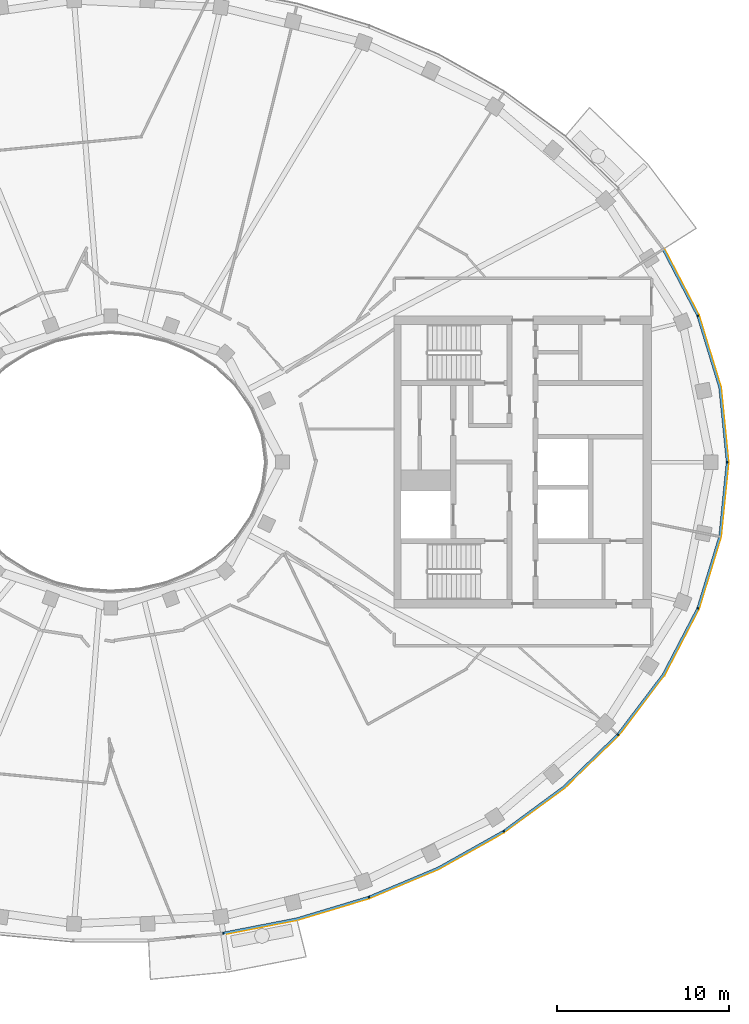
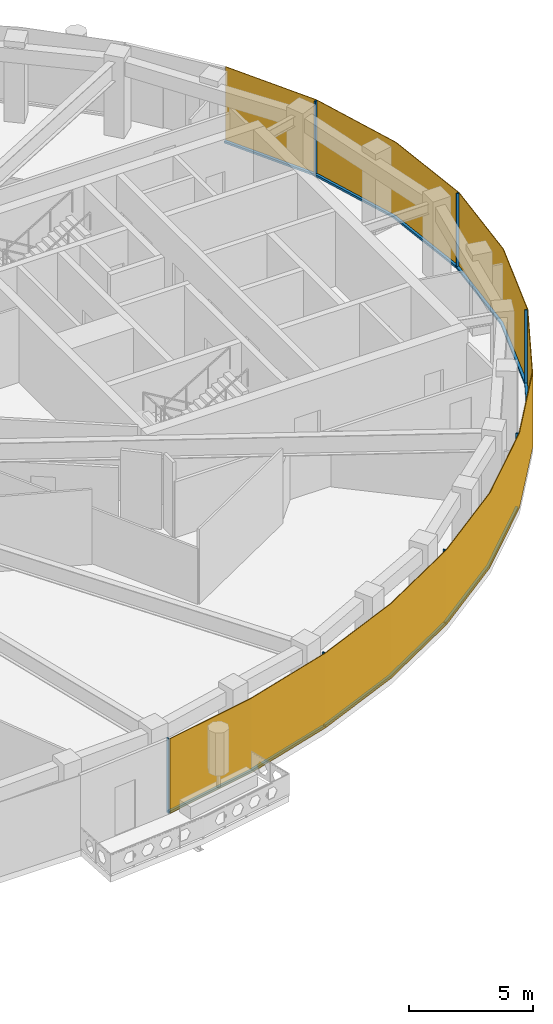
# One storey, part 14 of 20: 14 members, 1 curtain wall.
"""IFC4 building model written with IfcOpenShell, lengths in metres."""

from ifc_helpers import new_model, si_unit, direction, frame, origin, origin_2d, place, context, subcontext, project, spatial, polyline, rectangle, outline, extrude, material, layer, layer_set, material_profile, profile_set, type_object, element, aggregate, save


model = new_model("IFC4")

# Units and contexts
model_context = context("Model", 3, precision=1e-05, world=origin(), true_north=direction((0.0, 1.0)))
body_context = subcontext(model_context, "Body", "Model", "MODEL_VIEW")
ifc_project = project(units=[si_unit("LENGTHUNIT", "METRE"), si_unit("AREAUNIT", "SQUARE_METRE"), si_unit("VOLUMEUNIT", "CUBIC_METRE"), si_unit("PLANEANGLEUNIT", "RADIAN"), si_unit("MASSUNIT", "GRAM", prefix="KILO")], contexts=[model_context])

# Member
ifc_material_1 = material(Name="Aluminium 6063-T6 black anodised", Category="aluminium")
ifc_material_profile = material_profile(ifc_material_1, rectangle(XDim=0.1201171875, YDim=0.06005859375, at=origin_2d()), Name="120x60")
ifc_profile_set = profile_set([ifc_material_profile], Name="Aluminium 6063-T6 black anodised")
member_type_1 = type_object("IfcMemberType", Name="ENV-MULLION-A-120", PredefinedType="MULLION", material=ifc_profile_set)
site_placement = place(None, origin())
building_placement = place(site_placement, origin())
storey_placement = place(building_placement, frame((0.0, 0.0, 323.0)))
member_1_placement = place(storey_placement, frame((6.54638671875, -27.440185546875, 0.0), z_axis=(0.0, 0.0, 1.0), x_axis=(-0.143082012705, 0.989710835366, 0.0)))
member_1 = element("IfcMember", 1, at=member_1_placement, type_object=member_type_1, Name="Mullion A radial 37", PredefinedType="MULLION", context=body_context, shape_type="SweptSolid", body=[
    extrude(rectangle(XDim=0.1201171875, YDim=0.06005859375, at=origin_2d()), origin(), (0.0, 0.0, 1.0), 3.699951171875),
])

member_2_placement = place(storey_placement, frame((15.0341796875, -25.34375, 0.0), z_axis=(0.0, 0.0, 1.0), x_axis=(-0.338379256581, 0.941009818608, 0.0)))
member_2 = element("IfcMember", 2, at=member_2_placement, type_object=member_type_1, Name="Mullion A radial 39", PredefinedType="MULLION", context=body_context, shape_type="SweptSolid", body=[
    extrude(rectangle(XDim=0.1201171875, YDim=0.06005859375, at=origin_2d()), origin(), (0.0, 0.0, 1.0), 3.699951171875),
])

member_3_placement = place(storey_placement, frame((22.882568359375, -21.506591796875, 0.0), z_axis=(0.0, 0.0, 1.0), x_axis=(-0.542279153225, 0.840198381323, 0.0)))
member_3 = element("IfcMember", 3, at=member_3_placement, type_object=member_type_1, Name="Mullion A radial 41", PredefinedType="MULLION", context=body_context, shape_type="SweptSolid", body=[
    extrude(rectangle(XDim=0.1201171875, YDim=0.06005859375, at=origin_2d()), origin(), (0.0, 0.0, 1.0), 3.699951171875),
])

member_4_placement = place(storey_placement, frame((29.53857421875, -15.8671875, 0.0), z_axis=(0.0, 0.0, 1.0), x_axis=(-0.749047221705, 0.662516610853, 0.0)))
member_4 = element("IfcMember", 4, at=member_4_placement, type_object=member_type_1, Name="Mullion A radial 43", PredefinedType="MULLION", context=body_context, shape_type="SweptSolid", body=[
    extrude(rectangle(XDim=0.1201171875, YDim=0.06005859375, at=origin_2d()), origin(), (0.0, 0.0, 1.0), 3.699951171875),
])

member_5_placement = place(storey_placement, frame((34.19580078125, -8.513916015625, 0.0), z_axis=(0.0, 0.0, 1.0), x_axis=(-0.92546738067, 0.378827305398, 0.0)))
member_5 = element("IfcMember", 5, at=member_5_placement, type_object=member_type_1, Name="Mullion A radial 45", PredefinedType="MULLION", context=body_context, shape_type="SweptSolid", body=[
    extrude(rectangle(XDim=0.1201171875, YDim=0.06005859375, at=origin_2d()), origin(), (0.0, 0.0, 1.0), 3.699951171875),
])

member_6_placement = place(storey_placement, frame((35.907958984375, 0.0, 0.0), z_axis=(0.0, 0.0, 1.0), x_axis=(-1.0, 0.0, 0.0)))
member_6 = element("IfcMember", 6, at=member_6_placement, type_object=member_type_1, Name="Mullion A radial 01", PredefinedType="MULLION", context=body_context, shape_type="SweptSolid", body=[
    extrude(rectangle(XDim=0.1201171875, YDim=0.06005859375, at=origin_2d()), origin(), (0.0, 0.0, 1.0), 3.699951171875),
])

member_7_placement = place(storey_placement, frame((34.19580078125, 8.513916015625, 0.0), z_axis=(0.0, 0.0, 1.0), x_axis=(-0.92546738067, -0.378827305398, 0.0)))
member_7 = element("IfcMember", 7, at=member_7_placement, type_object=member_type_1, Name="Mullion A radial 03", PredefinedType="MULLION", context=body_context, shape_type="SweptSolid", body=[
    extrude(rectangle(XDim=0.1201171875, YDim=0.06005859375, at=origin_2d()), origin(), (0.0, 0.0, 1.0), 3.699951171875),
])

ifc_material_2 = material(Name="Aluminium 6063-T6 black anodised", Category="aluminium")
member_type_2 = type_object("IfcMemberType", Name="ENV-TRANSOM-A", PredefinedType="USERDEFINED", material=ifc_material_2)
member_8_placement = place(storey_placement, origin())
member_8 = element("IfcMember", 8, at=member_8_placement, type_object=member_type_2, Name="Transom A radial 37-39", ObjectType="TRANSOM", PredefinedType="USERDEFINED", context=body_context, shape_type="SweptSolid", body=[
    extrude(outline(polyline([(6.58251953125, -27.494140625), (10.857666015625, -26.6630859375), (15.027587890625, -25.408203125), (14.987060546875, -25.295166015625), (10.828857421875, -26.54638671875), (6.5654296875, -27.375244140625), (6.58251953125, -27.494140625)])), origin(), (0.0, 0.0, 1.0), 0.10009765625),
])

member_9_placement = place(storey_placement, origin())
member_9 = element("IfcMember", 9, at=member_9_placement, type_object=member_type_2, Name="Transom A radial 39-41", ObjectType="TRANSOM", PredefinedType="USERDEFINED", context=body_context, shape_type="SweptSolid", body=[
    extrude(outline(polyline([(15.080322265625, -25.389404296875), (19.093994140625, -23.701416015625), (22.890625, -21.570556640625), (22.825439453125, -21.469482421875), (19.041259765625, -23.593505859375), (15.03955078125, -25.276123046875), (15.080322265625, -25.389404296875)])), origin(), (0.0, 0.0, 1.0), 0.10009765625),
])

member_10_placement = place(storey_placement, origin())
member_10 = element("IfcMember", 10, at=member_10_placement, type_object=member_type_2, Name="Transom A radial 41-43", ObjectType="TRANSOM", PredefinedType="USERDEFINED", context=body_context, shape_type="SweptSolid", body=[
    extrude(outline(polyline([(22.937744140625, -21.540283203125), (26.4423828125, -18.958740234375), (29.5634765625, -15.926513671875), (29.473388671875, -15.8466796875), (26.364501953125, -18.866943359375), (22.87255859375, -21.439208984375), (22.937744140625, -21.540283203125)])), origin(), (0.0, 0.0, 1.0), 0.10009765625),
])

member_11_placement = place(storey_placement, origin())
member_11 = element("IfcMember", 11, at=member_11_placement, type_object=member_type_2, Name="Transom A radial 43-45", ObjectType="TRANSOM", PredefinedType="USERDEFINED", context=body_context, shape_type="SweptSolid", body=[
    extrude(outline(polyline([(29.6005859375, -15.884521484375), (32.22802734375, -12.41748046875), (34.23828125, -8.5615234375), (34.126708984375, -8.515869140625), (32.126220703125, -12.35302734375), (29.51025390625, -15.8046875), (29.6005859375, -15.884521484375)])), origin(), (0.0, 0.0, 1.0), 0.10009765625),
])

member_12_placement = place(storey_placement, origin())
member_12 = element("IfcMember", 12, at=member_12_placement, type_object=member_type_2, Name="Transom A radial 45-01", ObjectType="TRANSOM", PredefinedType="USERDEFINED", context=body_context, shape_type="SweptSolid", body=[
    extrude(outline(polyline([(34.259521484375, -8.509765625), (35.529541015625, -4.352294921875), (35.965087890625, -0.02783203125), (35.844482421875, -0.02783203125), (35.411376953125, -4.32861328125), (34.14794921875, -8.464111328125), (34.259521484375, -8.509765625)])), origin(), (0.0, 0.0, 1.0), 0.10009765625),
])

member_13_placement = place(storey_placement, origin())
member_13 = element("IfcMember", 13, at=member_13_placement, type_object=member_type_2, Name="Transom A radial 01-03", ObjectType="TRANSOM", PredefinedType="USERDEFINED", context=body_context, shape_type="SweptSolid", body=[
    extrude(outline(polyline([(35.965087890625, 0.02783203125), (35.529541015625, 4.352294921875), (34.259521484375, 8.509765625), (34.14794921875, 8.464111328125), (35.411376953125, 4.32861328125), (35.844482421875, 0.02783203125), (35.965087890625, 0.02783203125)])), origin(), (0.0, 0.0, 1.0), 0.10009765625),
])

member_14_placement = place(storey_placement, origin())
member_14 = element("IfcMember", 14, at=member_14_placement, type_object=member_type_2, Name="Transom A radial 03-04", ObjectType="TRANSOM", PredefinedType="USERDEFINED", context=body_context, shape_type="SweptSolid", body=[
    extrude(outline(polyline([(34.23828125, 8.5615234375), (32.2373046875, 12.39990234375), (32.135498046875, 12.33544921875), (34.126708984375, 8.515869140625), (34.23828125, 8.5615234375)])), origin(), (0.0, 0.0, 1.0), 0.10009765625),
])

# Site, building, storey
site = spatial("IfcSite", under=ifc_project, at=site_placement, CompositionType="ELEMENT")
building = spatial("IfcBuilding", under=site, at=building_placement, Name="Noorbagh Ring Tower", CompositionType="ELEMENT")
storey = spatial("IfcBuildingStorey", under=building, at=storey_placement, Name="L70", CompositionType="ELEMENT", Elevation=323.0)

# Curtain wall
ifc_material_3 = material(Name="Glass dark tinted laminated", Category="glass")
ifc_layer = layer(ifc_material_3, 0.031982421875)
ifc_layer_set = layer_set([ifc_layer], Name="Glass dark tinted laminated")
curtain_wall_type = type_object("IfcCurtainWallType", Name="ENV-CW-A", PredefinedType="NOTDEFINED", material=ifc_layer_set)
curtain_wall_placement = place(storey_placement, origin())
curtain_wall = element("IfcCurtainWall", 15, at=curtain_wall_placement, inside=storey, type_object=curtain_wall_type, Name="Curtain wall A R37", PredefinedType="NOTDEFINED", context=body_context, shape_type="SweptSolid", body=[
    extrude(outline(polyline([(6.579345703125, -27.52734375), (10.865234375, -26.6943359375), (15.065185546875, -25.430419921875), (19.108154296875, -23.730224609375), (22.9326171875, -21.583740234375), (26.463134765625, -18.9833984375), (29.607666015625, -15.927978515625), (32.255126953125, -12.434814453125), (34.281005859375, -8.548828125), (35.561279296875, -4.358642578125), (36.0, 0.0), (35.561279296875, 4.358642578125), (34.281005859375, 8.548828125), (32.264404296875, 12.4169921875), (32.2373046875, 12.39990234375), (34.251220703125, 8.53662109375), (35.529541015625, 4.352294921875), (35.9677734375, 0.0), (35.529541015625, -4.352294921875), (34.251220703125, -8.53662109375), (32.22802734375, -12.41748046875), (29.58349609375, -15.906982421875), (26.4423828125, -18.958740234375), (22.9150390625, -21.556884765625), (19.093994140625, -23.701416015625), (15.054443359375, -25.400146484375), (10.857666015625, -26.6630859375), (6.57470703125, -27.49560546875), (6.579345703125, -27.52734375)])), origin(), (0.0, 0.0, 1.0), 3.699951171875),
])

aggregate(curtain_wall, [member_1, member_2, member_3, member_4, member_5, member_6, member_7, member_8, member_9, member_10, member_11, member_12, member_13, member_14])

save(model, "model.ifc")
